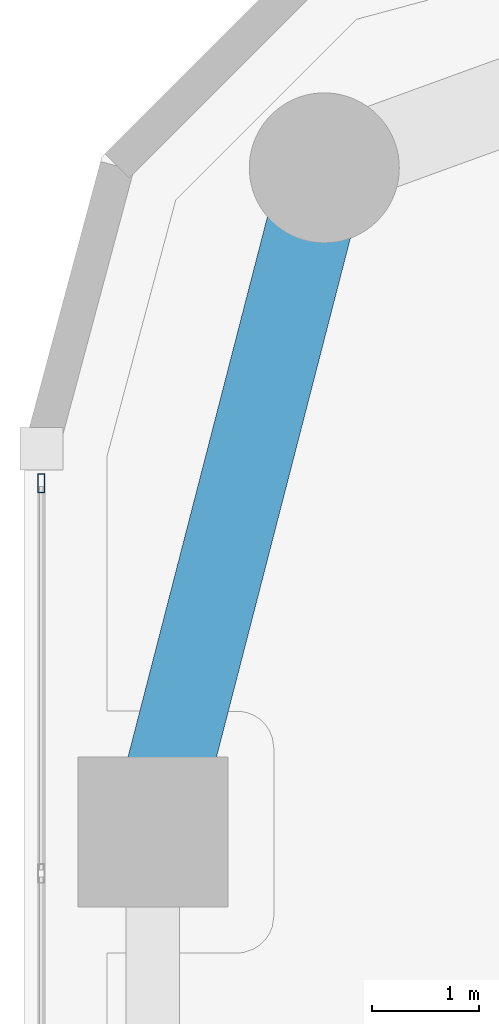
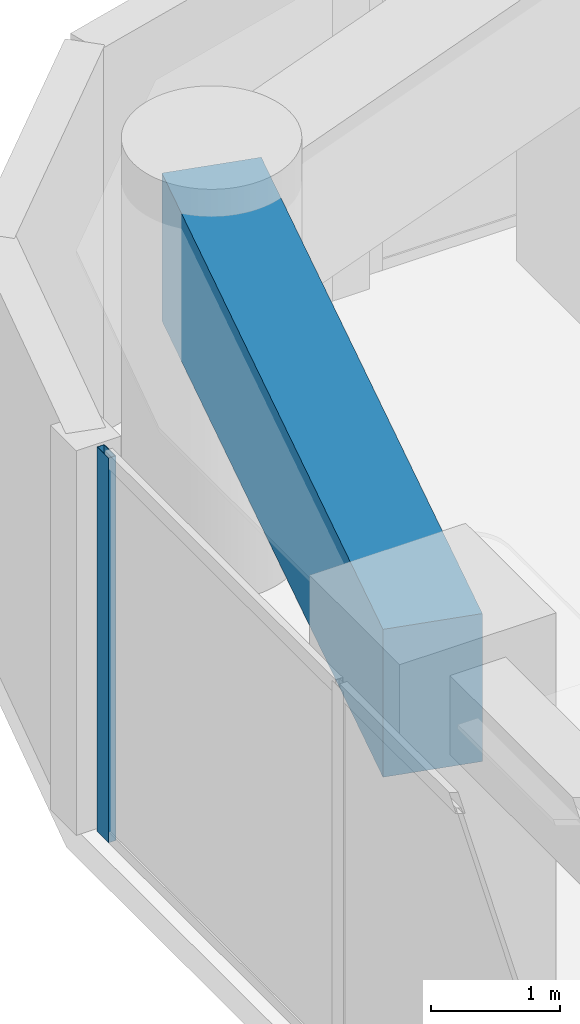
# One storey, part 11 of 24: 1 beam, 1 member, 1 element without a shape of its own.
"""IFC4 building model written with IfcOpenShell, lengths in metres."""

from ifc_helpers import new_model, si_unit, direction, frame, origin, origin_2d, place, context, subcontext, project, spatial, rectangle, hollow_rectangle, extrude, material, layer, layer_set, material_profile, profile_set, type_object, element, aggregate, save


model = new_model("IFC4")

# Units and contexts
model_context = context("Model", 3, precision=1e-05, world=origin(), true_north=direction((0.0, 1.0)))
body_context = subcontext(model_context, "Body", "Model", "MODEL_VIEW")
ifc_project = project(units=[si_unit("LENGTHUNIT", "METRE"), si_unit("AREAUNIT", "SQUARE_METRE"), si_unit("VOLUMEUNIT", "CUBIC_METRE"), si_unit("PLANEANGLEUNIT", "RADIAN"), si_unit("MASSUNIT", "GRAM", prefix="KILO")], contexts=[model_context])

# Site, building, storey
site_placement = place(None, origin())
site = spatial("IfcSite", under=ifc_project, at=site_placement, CompositionType="ELEMENT")
building_placement = place(site_placement, origin())
building = spatial("IfcBuilding", under=site, at=building_placement, Name="Kiyonajd Concourse Tower", CompositionType="ELEMENT")
storey_placement = place(building_placement, frame((0.0, 0.0, 137.699951171875)))
storey = spatial("IfcBuildingStorey", under=building, at=storey_placement, Name="L35", CompositionType="ELEMENT", Elevation=137.699951171875)

# Beam
ifc_material_1 = material(Name="Concrete C60/75", Category="concrete")
ifc_material_profile_1 = material_profile(ifc_material_1, rectangle(XDim=0.800048828125, YDim=1.39990234375, at=origin_2d()), Name="RCBM-800x1400")
ifc_profile_set_1 = profile_set([ifc_material_profile_1], Name="Concrete C60/75")
beam_type = type_object("IfcBeamType", Name="BM-XFER-RC", PredefinedType="BEAM", material=ifc_profile_set_1)
beam_placement = place(storey_placement, frame((20.800048828125, 59.60009765625, 2.93994140625), z_axis=(-0.249884937687, -0.968275538221, 0.0), x_axis=(0.968275538221, -0.249884937687, 0.0)))
element("IfcBeam", 1, at=beam_placement, inside=storey, type_object=beam_type, Name="L35 Perimeter Bundled Tube Spandrel", PredefinedType="BEAM", context=body_context, shape_type="SweptSolid", body=[
    extrude(rectangle(XDim=0.800048828125, YDim=1.39990234375, at=origin_2d()), origin(), (0.0, 0.0, 1.0), 6.4033203125),
])

# Curtain wall, member
ifc_material_2 = material(Name="Thermally Broken Anodised Aluminium", Category="aluminium")
ifc_layer = layer(ifc_material_2, 0.179931640625)
ifc_layer_set = layer_set([ifc_layer], Name="Thermally Broken Anodised Aluminium")
curtain_wall_type = type_object("IfcCurtainWallType", Name="CW-SYS-03", PredefinedType="NOTDEFINED", material=ifc_layer_set)
curtain_wall_placement = place(storey_placement, origin())
curtain_wall = element("IfcCurtainWall", 2, at=curtain_wall_placement, inside=storey, type_object=curtain_wall_type, Name="L35 Unitised Curtain Wall CW3", PredefinedType="NOTDEFINED")
ifc_material_profile_2 = material_profile(ifc_material_2, hollow_rectangle(XDim=0.06494140625, YDim=0.179931640625, WallThickness=0.00390625, at=origin_2d()), Name="MULL-65x180")
ifc_profile_set_2 = profile_set([ifc_material_profile_2], Name="Thermally Broken Anodised Aluminium")
member_type = type_object("IfcMemberType", Name="MB-CW-MULL1", PredefinedType="MULLION", material=ifc_profile_set_2)
member_placement = place(storey_placement, frame((18.159912109375, 56.656494140625, 0.0), z_axis=(0.0, 0.0, 1.0), x_axis=(-1.0, 0.0, 0.0)))
member = element("IfcMember", 3, at=member_placement, type_object=member_type, Name="CW3 mullion 7", PredefinedType="MULLION", context=body_context, shape_type="SweptSolid", body=[
    extrude(hollow_rectangle(XDim=0.06494140625, YDim=0.179931640625, WallThickness=0.00390625, at=origin_2d()), origin(), (0.0, 0.0, 1.0), 3.64013671875),
])
aggregate(curtain_wall, [member])

save(model, "model.ifc")
